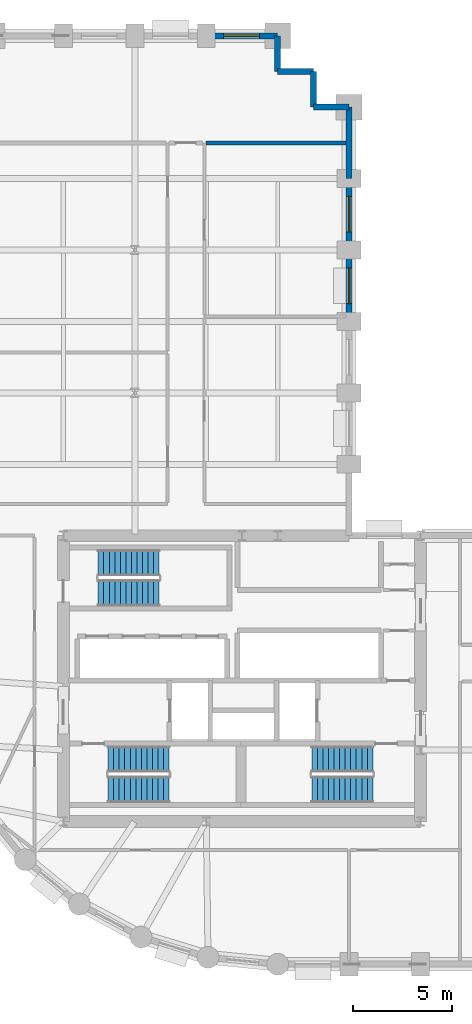
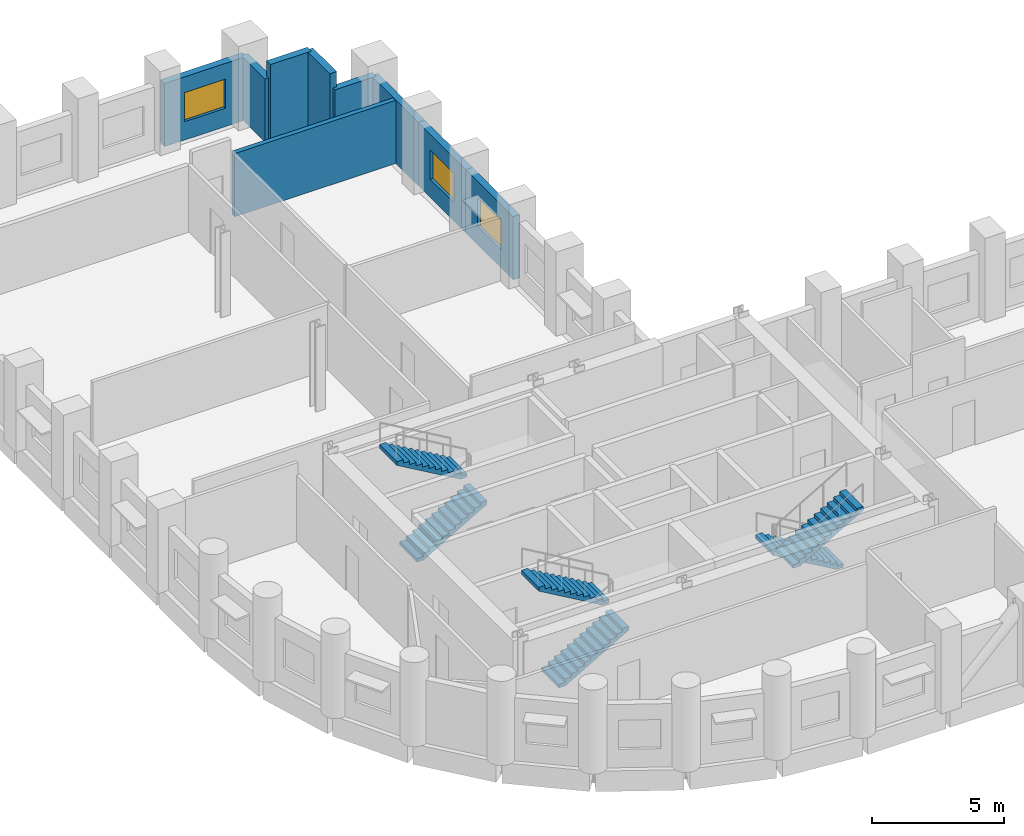
# One storey, part 9 of 11: 9 walls, 6 stair flights, 3 windows, 3 openings, 3 elements without a shape of their own.
"""IFC4 building model written with IfcOpenShell, lengths in metres."""

from ifc_helpers import new_model, si_unit, direction, frame, frame_2d, origin, place, context, subcontext, project, spatial, polyline, rectangle, outline, extrude, material, layer, layer_set, type_object, element, fill, aggregate, save


model = new_model("IFC4")

# Units and contexts
model_context = context("Model", 3, precision=1e-05, world=origin(), true_north=direction((0.0, 1.0)))
body_context = subcontext(model_context, "Body", "Model", "MODEL_VIEW")
ifc_project = project(units=[si_unit("LENGTHUNIT", "METRE"), si_unit("AREAUNIT", "SQUARE_METRE"), si_unit("VOLUMEUNIT", "CUBIC_METRE"), si_unit("PLANEANGLEUNIT", "RADIAN"), si_unit("MASSUNIT", "GRAM", prefix="KILO")], contexts=[model_context])

# Site, building, storey
site_placement = place(None, origin())
site = spatial("IfcSite", under=ifc_project, at=site_placement, CompositionType="ELEMENT")
building_placement = place(site_placement, origin())
building = spatial("IfcBuilding", under=site, at=building_placement, Name="Solnavia Interchange Tower", CompositionType="ELEMENT")
storey_placement = place(building_placement, frame((0.0, 0.0, 55.199951171875)))
storey = spatial("IfcBuildingStorey", under=building, at=storey_placement, Name="L13", CompositionType="ELEMENT", Elevation=55.199951171875)

# Wall
ifc_material_1 = material(Name="Gypsum Acoustic Twin-Stud & Mineral Wool", Category="gypsum")
ifc_layer_1 = layer(ifc_material_1, 0.199951171875)
ifc_layer_set_1 = layer_set([ifc_layer_1], Name="Gypsum Acoustic Twin-Stud & Mineral Wool")
wall_type_1 = type_object("IfcWallType", Name="Wall-ApartmentParty-200", PredefinedType="PARTITIONING", material=ifc_layer_set_1)
wall_1_placement = place(storey_placement, frame((21.5791015625, 45.0, 0.0), z_axis=(0.0, 0.0, 1.0), x_axis=(1.0, 0.0, 0.0)))
element("IfcWall", 1, at=wall_1_placement, inside=storey, type_object=wall_type_1, Name="PTW-L13-36 Interior partition wall", PredefinedType="PARTITIONING", context=body_context, shape_type="SweptSolid", body=[
    extrude(rectangle(XDim=7.06689453125, YDim=0.199951171875, at=frame_2d((3.533447265625, 0.0))), origin(), (0.0, 0.0, 1.0), 2.929931640625),
])

# Wall, opening, window
ifc_material_2 = material(Name="Concrete C40/50", Category="concrete")
ifc_layer_2 = layer(ifc_material_2, 0.300048828125)
ifc_layer_set_2 = layer_set([ifc_layer_2], Name="Concrete C40/50")
wall_type_2 = type_object("IfcWallType", Name="Wall-ExtSpandrel-300", PredefinedType="STANDARD", material=ifc_layer_set_2)
wall_2_placement = place(storey_placement, frame((28.800048828125, 36.0, 0.0), z_axis=(0.0, 0.0, 1.0), x_axis=(0.0, 1.0, 0.0)))
wall_2 = element("IfcWall", 2, at=wall_2_placement, inside=storey, type_object=wall_type_2, Name="EXW-L13-33 Exterior precast spandrel wall", PredefinedType="STANDARD", context=body_context, shape_type="SweptSolid", body=[
    extrude(rectangle(XDim=3.60009765625, YDim=0.300048828125, at=frame_2d((1.800048828125, 0.0))), origin(), (0.0, 0.0, 1.0), 2.929931640625),
])
opening_1_placement = place(wall_2_placement, frame((0.89990234375, 0.0, 0.85009765625)))
opening_1 = element("IfcOpeningElement", 3, at=opening_1_placement, cuts=wall_2, Name="Opening WIN-02", PredefinedType="OPENING", context=body_context, shape_type="SweptSolid", body=[
    extrude(rectangle(XDim=1.800048828125, YDim=1.35009765625, at=frame_2d((0.89990234375, 0.675048828125))), frame((0.0, 0.16015625, 0.0), z_axis=(0.0, -1.0, 0.0), x_axis=(1.0, 0.0, 0.0)), (0.0, 0.0, 1.0), 0.320068359375),
])
ifc_material_3 = material(Name="Thermal-Break Aluminium & Low-E Glass", Category="aluminium")
window_type = type_object("IfcWindowType", Name="Window-Ribbon-1800x1350", PartitioningType="SINGLE_PANEL", PredefinedType="WINDOW", material=ifc_material_3)
window_1_placement = place(opening_1_placement, origin())
window_1 = element("IfcWindow", 4, at=window_1_placement, inside=storey, type_object=window_type, Name="WIN-L13-33 Facade ribbon window", OverallHeight=1.35009765625, OverallWidth=1.800048828125, PartitioningType="SINGLE_PANEL", PredefinedType="WINDOW", context=body_context, shape_type="SweptSolid", body=[
    extrude(rectangle(XDim=1.800048828125, YDim=1.35009765625, at=frame_2d((0.89990234375, 0.675048828125))), frame((0.0, 0.030029296875, 0.0), z_axis=(0.0, -1.0, 0.0), x_axis=(1.0, 0.0, 0.0)), (0.0, 0.0, 1.0), 0.06005859375),
])
fill(opening_1, window_1)

wall_3_placement = place(storey_placement, frame((28.800048828125, 39.60009765625, 0.0), z_axis=(0.0, 0.0, 1.0), x_axis=(0.0, 1.0, 0.0)))
wall_3 = element("IfcWall", 5, at=wall_3_placement, inside=storey, type_object=wall_type_2, Name="EXW-L13-34 Exterior precast spandrel wall", PredefinedType="STANDARD", context=body_context, shape_type="SweptSolid", body=[
    extrude(rectangle(XDim=3.599853515625, YDim=0.300048828125, at=frame_2d((1.7998046875, 0.0))), origin(), (0.0, 0.0, 1.0), 2.929931640625),
])
opening_2_placement = place(wall_3_placement, frame((0.89990234375, 0.0, 0.85009765625)))
opening_2 = element("IfcOpeningElement", 6, at=opening_2_placement, cuts=wall_3, Name="Opening WIN-02", PredefinedType="OPENING", context=body_context, shape_type="SweptSolid", body=[
    extrude(rectangle(XDim=1.800048828125, YDim=1.35009765625, at=frame_2d((0.89990234375, 0.675048828125))), frame((0.0, 0.16015625, 0.0), z_axis=(0.0, -1.0, 0.0), x_axis=(1.0, 0.0, 0.0)), (0.0, 0.0, 1.0), 0.320068359375),
])
window_2_placement = place(opening_2_placement, origin())
window_2 = element("IfcWindow", 7, at=window_2_placement, inside=storey, type_object=window_type, Name="WIN-L13-34 Facade ribbon window", OverallHeight=1.35009765625, OverallWidth=1.800048828125, PartitioningType="SINGLE_PANEL", PredefinedType="WINDOW", context=body_context, shape_type="SweptSolid", body=[
    extrude(rectangle(XDim=1.800048828125, YDim=1.35009765625, at=frame_2d((0.89990234375, 0.675048828125))), frame((0.0, 0.030029296875, 0.0), z_axis=(0.0, -1.0, 0.0), x_axis=(1.0, 0.0, 0.0)), (0.0, 0.0, 1.0), 0.06005859375),
])
fill(opening_2, window_2)

# Walls
wall_4_placement = place(storey_placement, frame((28.800048828125, 43.199951171875, 0.0), z_axis=(0.0, 0.0, 1.0), x_axis=(0.0, 1.0, 0.0)))
element("IfcWall", 8, at=wall_4_placement, inside=storey, type_object=wall_type_2, Name="EXW-L13-35 Exterior precast spandrel wall", PredefinedType="STANDARD", context=body_context, shape_type="SweptSolid", body=[
    extrude(rectangle(XDim=3.60009765625, YDim=0.300048828125, at=frame_2d((1.800048828125, 0.0))), origin(), (0.0, 0.0, 1.0), 2.929931640625),
])
wall_5_placement = place(storey_placement, frame((27.0, 46.800048828125, 0.0), z_axis=(0.0, 0.0, 1.0), x_axis=(1.0, 0.0, 0.0)))
element("IfcWall", 9, at=wall_5_placement, inside=storey, type_object=wall_type_2, Name="EXW-L13-36 Exterior precast spandrel wall", PredefinedType="STANDARD", context=body_context, shape_type="SweptSolid", body=[
    extrude(rectangle(XDim=1.800048828125, YDim=0.300048828125, at=frame_2d((0.89990234375, 0.0))), origin(), (0.0, 0.0, 1.0), 2.929931640625),
])
for number, where, z_axis, x_axis, name in (
    (10, (27.0, 46.800048828125, 0.0), (0.0, 0.0, 1.0), (0.0, 1.0, 0.0), "EXW-L13-37 Exterior precast spandrel wall"),
    (11, (25.199951171875, 48.60009765625, 0.0), (0.0, 0.0, 1.0), (1.0, 0.0, 0.0), "EXW-L13-38 Exterior precast spandrel wall"),
):
    element("IfcWall", number, at=place(storey_placement, frame(where, z_axis=z_axis, x_axis=x_axis)), inside=storey, type_object=wall_type_2, Name=name, PredefinedType="STANDARD", context=body_context, shape_type="SweptSolid", body=[
        extrude(rectangle(XDim=1.800048828125, YDim=0.300048828125, at=frame_2d((0.89990234375, 0.0))), origin(), (0.0, 0.0, 1.0), 3.635009765625),
    ])
wall_6_placement = place(storey_placement, frame((25.199951171875, 48.60009765625, 0.0), z_axis=(0.0, 0.0, 1.0), x_axis=(0.0, 1.0, 0.0)))
element("IfcWall", 12, at=wall_6_placement, inside=storey, type_object=wall_type_2, Name="EXW-L13-39 Exterior precast spandrel wall", PredefinedType="STANDARD", context=body_context, shape_type="SweptSolid", body=[
    extrude(rectangle(XDim=1.7998046875, YDim=0.300048828125, at=frame_2d((0.89990234375, 0.0))), origin(), (0.0, 0.0, 1.0), 2.929931640625),
])

# Wall, opening, window
wall_7_placement = place(storey_placement, frame((21.60009765625, 50.39990234375, 0.0), z_axis=(0.0, 0.0, 1.0), x_axis=(1.0, 0.0, 0.0)))
wall_7 = element("IfcWall", 13, at=wall_7_placement, inside=storey, type_object=wall_type_2, Name="EXW-L13-40 Exterior precast spandrel wall", PredefinedType="STANDARD", context=body_context, shape_type="SweptSolid", body=[
    extrude(rectangle(XDim=3.599853515625, YDim=0.300048828125, at=frame_2d((1.7998046875, 0.0))), origin(), (0.0, 0.0, 1.0), 2.929931640625),
])
opening_3_placement = place(wall_7_placement, frame((0.875, 0.0, 0.85009765625)))
opening_3 = element("IfcOpeningElement", 14, at=opening_3_placement, cuts=wall_7, Name="Opening WIN-02", PredefinedType="OPENING", context=body_context, shape_type="SweptSolid", body=[
    extrude(rectangle(XDim=1.800048828125, YDim=1.35009765625, at=frame_2d((0.89990234375, 0.675048828125))), frame((0.0, 0.16015625, 0.0), z_axis=(0.0, -1.0, 0.0), x_axis=(1.0, 0.0, 0.0)), (0.0, 0.0, 1.0), 0.320068359375),
])
window_3_placement = place(opening_3_placement, origin())
window_3 = element("IfcWindow", 15, at=window_3_placement, inside=storey, type_object=window_type, Name="WIN-L13-40 Facade ribbon window", OverallHeight=1.35009765625, OverallWidth=1.800048828125, PartitioningType="SINGLE_PANEL", PredefinedType="WINDOW", context=body_context, shape_type="SweptSolid", body=[
    extrude(rectangle(XDim=1.800048828125, YDim=1.35009765625, at=frame_2d((0.89990234375, 0.675048828125))), frame((0.0, 0.030029296875, 0.0), z_axis=(0.0, -1.0, 0.0), x_axis=(1.0, 0.0, 0.0)), (0.0, 0.0, 1.0), 0.06005859375),
])
fill(opening_3, window_3)

# Stair, stair flights
stair_type = type_object("IfcStairType", Name="Stair-Dogleg-RC", PredefinedType="HALF_TURN_STAIR", material=ifc_material_2)
stair_1_placement = place(storey_placement, origin())
stair_1 = element("IfcStair", 16, at=stair_1_placement, inside=storey, type_object=stair_type, Name="L13 Core exit stair 1", PredefinedType="HALF_TURN_STAIR")
stair_flight_type = type_object("IfcStairFlightType", Name="StairFlight-RC-150", PredefinedType="STRAIGHT", material=ifc_material_2)
stair_flight_1_placement = place(storey_placement, frame((16.64990234375, 12.409912109375, 0.0), z_axis=(0.0, 0.0, 1.0), x_axis=(1.0, 0.0, 0.0)))
stair_flight_1 = element("IfcStairFlight", 17, at=stair_flight_1_placement, type_object=stair_flight_type, Name="ST-1 flight 1", NumberOfRisers=12, NumberOfTreads=11, PredefinedType="STRAIGHT", RiserHeight=0.1625, TreadLength=0.28, context=body_context, shape_type="SweptSolid", body=[
    extrude(outline(polyline([(0.0, 0.0), (0.0, 0.16259765625), (0.280029296875, 0.16259765625), (0.280029296875, 0.324951171875), (0.56005859375, 0.324951171875), (0.56005859375, 0.487548828125), (0.840087890625, 0.487548828125), (0.840087890625, 0.64990234375), (1.1201171875, 0.64990234375), (1.1201171875, 0.8125), (1.39990234375, 0.8125), (1.39990234375, 0.97509765625), (1.679931640625, 0.97509765625), (1.679931640625, 1.137451171875), (1.9599609375, 1.137451171875), (1.9599609375, 1.300048828125), (2.239990234375, 1.300048828125), (2.239990234375, 1.46240234375), (2.52001953125, 1.46240234375), (2.52001953125, 1.625), (2.800048828125, 1.625), (2.800048828125, 1.78759765625), (3.080078125, 1.78759765625), (3.080078125, 1.949951171875), (3.080078125, 1.6142578125), (0.298583984375, 0.0), (0.0, 0.0)])), frame((0.0, 0.66015625, 0.0), z_axis=(0.0, -1.0, 0.0), x_axis=(1.0, 0.0, 0.0)), (0.0, 0.0, 1.0), 1.320068359375),
])
stair_flight_2_placement = place(storey_placement, frame((19.72998046875, 13.929931640625, 1.949951171875), z_axis=(0.0, 0.0, 1.0), x_axis=(-1.0, 0.0, 0.0)))
stair_flight_2 = element("IfcStairFlight", 18, at=stair_flight_2_placement, type_object=stair_flight_type, Name="ST-1 flight 2", NumberOfRisers=12, NumberOfTreads=11, PredefinedType="STRAIGHT", RiserHeight=0.1625, TreadLength=0.28, context=body_context, shape_type="SweptSolid", body=[
    extrude(outline(polyline([(0.0, 0.0), (0.0, 0.16259765625), (0.280029296875, 0.16259765625), (0.280029296875, 0.324951171875), (0.56005859375, 0.324951171875), (0.56005859375, 0.487548828125), (0.840087890625, 0.487548828125), (0.840087890625, 0.64990234375), (1.1201171875, 0.64990234375), (1.1201171875, 0.8125), (1.39990234375, 0.8125), (1.39990234375, 0.97509765625), (1.679931640625, 0.97509765625), (1.679931640625, 1.137451171875), (1.9599609375, 1.137451171875), (1.9599609375, 1.300048828125), (2.239990234375, 1.300048828125), (2.239990234375, 1.46240234375), (2.52001953125, 1.46240234375), (2.52001953125, 1.625), (2.800048828125, 1.625), (2.800048828125, 1.78759765625), (3.080078125, 1.78759765625), (3.080078125, 1.949951171875), (3.080078125, 1.6142578125), (0.298583984375, 0.0), (0.0, 0.0)])), frame((0.0, 0.66015625, 0.0), z_axis=(0.0, -1.0, 0.0), x_axis=(1.0, 0.0, 0.0)), (0.0, 0.0, 1.0), 1.320068359375),
])
aggregate(stair_1, [stair_flight_1, stair_flight_2])

stair_2_placement = place(storey_placement, origin())
stair_2 = element("IfcStair", 19, at=stair_2_placement, inside=storey, type_object=stair_type, Name="L13 Core exit stair 2", PredefinedType="HALF_TURN_STAIR")
stair_flight_3_placement = place(storey_placement, frame((30.0, 13.929931640625, 0.0), z_axis=(0.0, 0.0, 1.0), x_axis=(-1.0, 0.0, 0.0)))
stair_flight_3 = element("IfcStairFlight", 20, at=stair_flight_3_placement, type_object=stair_flight_type, Name="ST-2 flight 1", NumberOfRisers=12, NumberOfTreads=11, PredefinedType="STRAIGHT", RiserHeight=0.1625, TreadLength=0.28, context=body_context, shape_type="SweptSolid", body=[
    extrude(outline(polyline([(0.0, 0.0), (0.0, 0.16259765625), (0.280029296875, 0.16259765625), (0.280029296875, 0.324951171875), (0.56005859375, 0.324951171875), (0.56005859375, 0.487548828125), (0.840087890625, 0.487548828125), (0.840087890625, 0.64990234375), (1.1201171875, 0.64990234375), (1.1201171875, 0.8125), (1.39990234375, 0.8125), (1.39990234375, 0.97509765625), (1.679931640625, 0.97509765625), (1.679931640625, 1.137451171875), (1.9599609375, 1.137451171875), (1.9599609375, 1.300048828125), (2.239990234375, 1.300048828125), (2.239990234375, 1.46240234375), (2.52001953125, 1.46240234375), (2.52001953125, 1.625), (2.800048828125, 1.625), (2.800048828125, 1.78759765625), (3.080078125, 1.78759765625), (3.080078125, 1.949951171875), (3.080078125, 1.6142578125), (0.298583984375, 0.0), (0.0, 0.0)])), frame((0.0, 0.66015625, 0.0), z_axis=(0.0, -1.0, 0.0), x_axis=(1.0, 0.0, 0.0)), (0.0, 0.0, 1.0), 1.320068359375),
])
stair_flight_4_placement = place(storey_placement, frame((26.919921875, 12.409912109375, 1.949951171875), z_axis=(0.0, 0.0, 1.0), x_axis=(1.0, 0.0, 0.0)))
stair_flight_4 = element("IfcStairFlight", 21, at=stair_flight_4_placement, type_object=stair_flight_type, Name="ST-2 flight 2", NumberOfRisers=12, NumberOfTreads=11, PredefinedType="STRAIGHT", RiserHeight=0.1625, TreadLength=0.28, context=body_context, shape_type="SweptSolid", body=[
    extrude(outline(polyline([(0.0, 0.0), (0.0, 0.16259765625), (0.280029296875, 0.16259765625), (0.280029296875, 0.324951171875), (0.56005859375, 0.324951171875), (0.56005859375, 0.487548828125), (0.840087890625, 0.487548828125), (0.840087890625, 0.64990234375), (1.1201171875, 0.64990234375), (1.1201171875, 0.8125), (1.39990234375, 0.8125), (1.39990234375, 0.97509765625), (1.679931640625, 0.97509765625), (1.679931640625, 1.137451171875), (1.9599609375, 1.137451171875), (1.9599609375, 1.300048828125), (2.239990234375, 1.300048828125), (2.239990234375, 1.46240234375), (2.52001953125, 1.46240234375), (2.52001953125, 1.625), (2.800048828125, 1.625), (2.800048828125, 1.78759765625), (3.080078125, 1.78759765625), (3.080078125, 1.949951171875), (3.080078125, 1.6142578125), (0.298583984375, 0.0), (0.0, 0.0)])), frame((0.0, 0.66015625, 0.0), z_axis=(0.0, -1.0, 0.0), x_axis=(1.0, 0.0, 0.0)), (0.0, 0.0, 1.0), 1.320068359375),
])
aggregate(stair_2, [stair_flight_3, stair_flight_4])

stair_3_placement = place(storey_placement, origin())
stair_3 = element("IfcStair", 22, at=stair_3_placement, inside=storey, type_object=stair_type, Name="L13 Core exit stair 3", PredefinedType="HALF_TURN_STAIR")
stair_flight_5_placement = place(storey_placement, frame((16.14990234375, 22.31005859375, 0.0), z_axis=(0.0, 0.0, 1.0), x_axis=(1.0, 0.0, 0.0)))
stair_flight_5 = element("IfcStairFlight", 23, at=stair_flight_5_placement, type_object=stair_flight_type, Name="ST-3 flight 1", NumberOfRisers=12, NumberOfTreads=11, PredefinedType="STRAIGHT", RiserHeight=0.1625, TreadLength=0.28, context=body_context, shape_type="SweptSolid", body=[
    extrude(outline(polyline([(0.0, 0.0), (0.0, 0.16259765625), (0.280029296875, 0.16259765625), (0.280029296875, 0.324951171875), (0.56005859375, 0.324951171875), (0.56005859375, 0.487548828125), (0.840087890625, 0.487548828125), (0.840087890625, 0.64990234375), (1.1201171875, 0.64990234375), (1.1201171875, 0.8125), (1.39990234375, 0.8125), (1.39990234375, 0.97509765625), (1.679931640625, 0.97509765625), (1.679931640625, 1.137451171875), (1.9599609375, 1.137451171875), (1.9599609375, 1.300048828125), (2.239990234375, 1.300048828125), (2.239990234375, 1.46240234375), (2.52001953125, 1.46240234375), (2.52001953125, 1.625), (2.800048828125, 1.625), (2.800048828125, 1.78759765625), (3.080078125, 1.78759765625), (3.080078125, 1.949951171875), (3.080078125, 1.6142578125), (0.298583984375, 0.0), (0.0, 0.0)])), frame((0.0, 0.66015625, 0.0), z_axis=(0.0, -1.0, 0.0), x_axis=(1.0, 0.0, 0.0)), (0.0, 0.0, 1.0), 1.320068359375),
])
stair_flight_6_placement = place(storey_placement, frame((19.22998046875, 23.830078125, 1.949951171875), z_axis=(0.0, 0.0, 1.0), x_axis=(-1.0, 0.0, 0.0)))
stair_flight_6 = element("IfcStairFlight", 24, at=stair_flight_6_placement, type_object=stair_flight_type, Name="ST-3 flight 2", NumberOfRisers=12, NumberOfTreads=11, PredefinedType="STRAIGHT", RiserHeight=0.1625, TreadLength=0.28, context=body_context, shape_type="SweptSolid", body=[
    extrude(outline(polyline([(0.0, 0.0), (0.0, 0.16259765625), (0.280029296875, 0.16259765625), (0.280029296875, 0.324951171875), (0.56005859375, 0.324951171875), (0.56005859375, 0.487548828125), (0.840087890625, 0.487548828125), (0.840087890625, 0.64990234375), (1.1201171875, 0.64990234375), (1.1201171875, 0.8125), (1.39990234375, 0.8125), (1.39990234375, 0.97509765625), (1.679931640625, 0.97509765625), (1.679931640625, 1.137451171875), (1.9599609375, 1.137451171875), (1.9599609375, 1.300048828125), (2.239990234375, 1.300048828125), (2.239990234375, 1.46240234375), (2.52001953125, 1.46240234375), (2.52001953125, 1.625), (2.800048828125, 1.625), (2.800048828125, 1.78759765625), (3.080078125, 1.78759765625), (3.080078125, 1.949951171875), (3.080078125, 1.6142578125), (0.298583984375, 0.0), (0.0, 0.0)])), frame((0.0, 0.66015625, 0.0), z_axis=(0.0, -1.0, 0.0), x_axis=(1.0, 0.0, 0.0)), (0.0, 0.0, 1.0), 1.320068359375),
])
aggregate(stair_3, [stair_flight_5, stair_flight_6])

save(model, "model.ifc")
